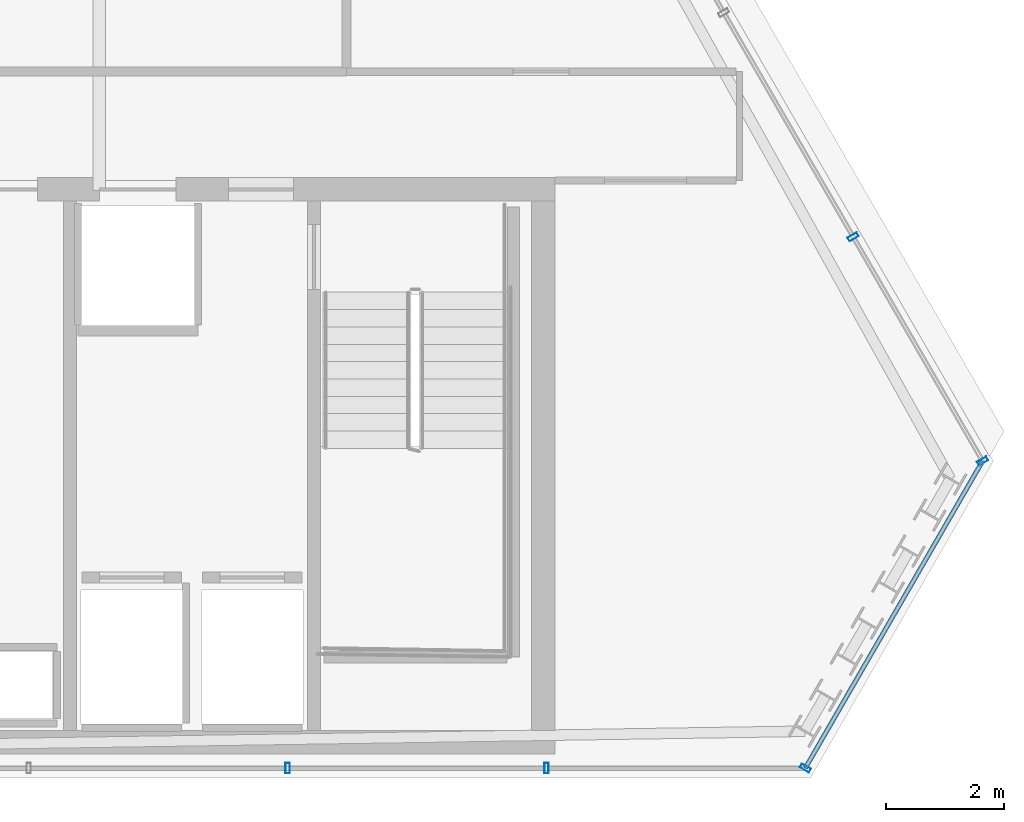
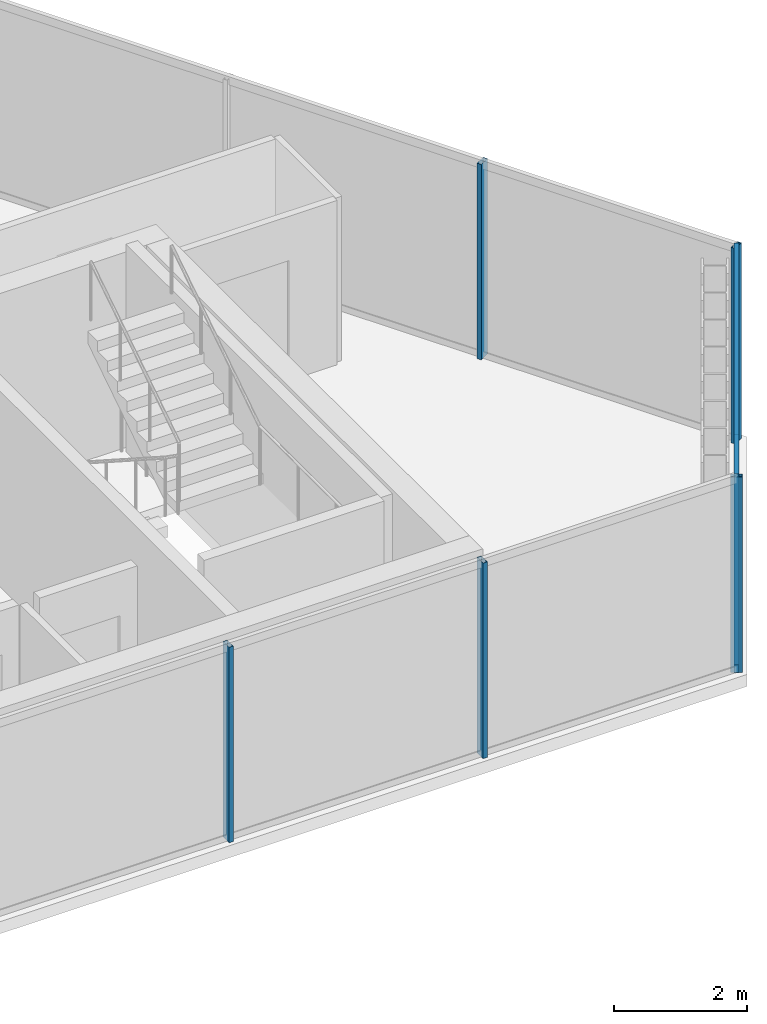
# One storey, part 19 of 32: 7 members, 3 elements without a shape of their own.
"""IFC4 building model written with IfcOpenShell, lengths in metres."""

from ifc_helpers import new_model, si_unit, direction, frame, origin, origin_2d, place, context, subcontext, project, spatial, hollow_rectangle, extrude, material, layer, layer_set, material_profile, profile_set, type_object, element, aggregate, save


model = new_model("IFC4")

# Units and contexts
model_context = context("Model", 3, precision=1e-05, world=origin(), true_north=direction((0.0, 1.0)))
body_context = subcontext(model_context, "Body", "Model", "MODEL_VIEW")
ifc_project = project(units=[si_unit("LENGTHUNIT", "METRE"), si_unit("AREAUNIT", "SQUARE_METRE"), si_unit("VOLUMEUNIT", "CUBIC_METRE"), si_unit("PLANEANGLEUNIT", "RADIAN"), si_unit("MASSUNIT", "GRAM", prefix="KILO")], contexts=[model_context])

# Site, building, storey
site_placement = place(None, origin())
site = spatial("IfcSite", under=ifc_project, at=site_placement, CompositionType="ELEMENT")
building_placement = place(site_placement, origin())
building = spatial("IfcBuilding", under=site, at=building_placement, Name="Ndaravel Arena Tower", CompositionType="ELEMENT")
storey_placement = place(building_placement, frame((0.0, 0.0, 252.199951171875)))
storey = spatial("IfcBuildingStorey", under=building, at=storey_placement, Name="L61", CompositionType="ELEMENT", Elevation=252.199951171875)

# Curtain wall, members
ifc_material_1 = material(Name="Aluminium", Category="aluminium")
ifc_layer_1 = layer(ifc_material_1, 0.179931640625)
ifc_layer_set_1 = layer_set([ifc_layer_1], Name="Aluminium")
curtain_wall_type_1 = type_object("IfcCurtainWallType", Name="CW-SYS-03", PredefinedType="NOTDEFINED", material=ifc_layer_set_1)
curtain_wall_1_placement = place(storey_placement, origin())
curtain_wall_1 = element("IfcCurtainWall", 1, at=curtain_wall_1_placement, inside=storey, type_object=curtain_wall_type_1, Name="L61 Faceted Crystal Curtain Wall CW-L61-E01", PredefinedType="NOTDEFINED")
ifc_material_2 = material(Name="Aluminium", Category="aluminium")
ifc_material_profile_1 = material_profile(ifc_material_2, hollow_rectangle(XDim=0.074951171875, YDim=0.179931640625, WallThickness=0.00390625, at=origin_2d()), Name="CW MULLION 75x180x4")
ifc_profile_set_1 = profile_set([ifc_material_profile_1], Name="Aluminium")
member_type_1 = type_object("IfcMemberType", Name="MEM-CW-MUL180", PredefinedType="MULLION", material=ifc_profile_set_1)
member_1_placement = place(storey_placement, frame((53.001708984375, 5.159912109375, 0.0), z_axis=(0.0, 0.0, 1.0), x_axis=(1.0, 0.0, 0.0)))
member_1 = element("IfcMember", 2, at=member_1_placement, type_object=member_type_1, Name="CW-L61-E01 Mullion 07", PredefinedType="MULLION", context=body_context, shape_type="SweptSolid", body=[
    extrude(hollow_rectangle(XDim=0.074951171875, YDim=0.179931640625, WallThickness=0.00390625, at=origin_2d()), origin(), (0.0, 0.0, 1.0), 3.580078125),
])
member_2_placement = place(storey_placement, frame((57.40234375, 5.159912109375, 0.0), z_axis=(0.0, 0.0, 1.0), x_axis=(1.0, 0.0, 0.0)))
member_2 = element("IfcMember", 3, at=member_2_placement, type_object=member_type_1, Name="CW-L61-E01 Mullion 08", PredefinedType="MULLION", context=body_context, shape_type="SweptSolid", body=[
    extrude(hollow_rectangle(XDim=0.074951171875, YDim=0.179931640625, WallThickness=0.00390625, at=origin_2d()), origin(), (0.0, 0.0, 1.0), 3.580078125),
])
aggregate(curtain_wall_1, [member_1, member_2])

# Curtain wall, member
ifc_material_3 = material(Name="Aluminium", Category="aluminium")
ifc_layer_2 = layer(ifc_material_3, 0.179931640625)
ifc_layer_set_2 = layer_set([ifc_layer_2], Name="Aluminium")
curtain_wall_type_2 = type_object("IfcCurtainWallType", Name="CW-SYS-01", PredefinedType="NOTDEFINED", material=ifc_layer_set_2)
curtain_wall_2_placement = place(storey_placement, origin())
curtain_wall_2 = element("IfcCurtainWall", 4, at=curtain_wall_2_placement, inside=storey, type_object=curtain_wall_type_2, Name="L61 Faceted Crystal Curtain Wall CW-L61-E02", PredefinedType="NOTDEFINED")
member_3_placement = place(storey_placement, frame((61.802978515625, 5.159912109375, 0.0), z_axis=(0.0, 0.0, 1.0), x_axis=(0.5, 0.866025403784, 0.0)))
member_3 = element("IfcMember", 5, at=member_3_placement, type_object=member_type_1, Name="CW-L61-E02 Mullion 00", PredefinedType="MULLION", context=body_context, shape_type="SweptSolid", body=[
    extrude(hollow_rectangle(XDim=0.074951171875, YDim=0.179931640625, WallThickness=0.00390625, at=origin_2d()), origin(), (0.0, 0.0, 1.0), 3.580078125),
])

# Curtain wall, members
curtain_wall_3_placement = place(storey_placement, origin())
curtain_wall_3 = element("IfcCurtainWall", 6, at=curtain_wall_3_placement, inside=storey, type_object=curtain_wall_type_1, Name="L61 Faceted Crystal Curtain Wall CW-L61-E03", PredefinedType="NOTDEFINED")
member_4_placement = place(storey_placement, frame((64.816650390625, 10.3798828125, 0.0), z_axis=(0.0, 0.0, 1.0), x_axis=(-0.5, 0.866025403784, 0.0)))
member_4 = element("IfcMember", 7, at=member_4_placement, type_object=member_type_1, Name="CW-L61-E03 Mullion 00", PredefinedType="MULLION", context=body_context, shape_type="SweptSolid", body=[
    extrude(hollow_rectangle(XDim=0.074951171875, YDim=0.179931640625, WallThickness=0.00390625, at=origin_2d()), origin(), (0.0, 0.0, 1.0), 3.580078125),
])
member_5_placement = place(storey_placement, frame((62.6162109375, 14.19091796875, 0.0), z_axis=(0.0, 0.0, 1.0), x_axis=(-0.5, 0.866025403784, 0.0)))
member_5 = element("IfcMember", 8, at=member_5_placement, type_object=member_type_1, Name="CW-L61-E03 Mullion 01", PredefinedType="MULLION", context=body_context, shape_type="SweptSolid", body=[
    extrude(hollow_rectangle(XDim=0.074951171875, YDim=0.179931640625, WallThickness=0.00390625, at=origin_2d()), origin(), (0.0, 0.0, 1.0), 3.580078125),
])
aggregate(curtain_wall_3, [member_4, member_5])

# Member
ifc_material_4 = material(Name="Aluminium", Category="aluminium")
ifc_material_profile_2 = material_profile(ifc_material_4, hollow_rectangle(XDim=0.074951171875, YDim=0.14990234375, WallThickness=0.00390625, at=origin_2d()), Name="CW TRANSOM 75x150x4")
ifc_profile_set_2 = profile_set([ifc_material_profile_2], Name="Aluminium")
member_type_2 = type_object("IfcMemberType", Name="MEM-CW-TRN150", PredefinedType="USERDEFINED", material=ifc_profile_set_2)
member_6_placement = place(storey_placement, frame((61.802978515625, 5.159912109375, 0.0400390625), z_axis=(0.49999009336, 0.86603112331, 0.0), x_axis=(-0.86603112331, 0.49999009336, 0.0)))
member_6 = element("IfcMember", 9, at=member_6_placement, type_object=member_type_2, Name="CW-L61-E02 Transom 01", ObjectType="TRANSOM", PredefinedType="USERDEFINED", context=body_context, shape_type="SweptSolid", body=[
    extrude(hollow_rectangle(XDim=0.074951171875, YDim=0.14990234375, WallThickness=0.00390625, at=origin_2d()), origin(), (0.0, 0.0, 1.0), 6.02734375),
])

member_7_placement = place(storey_placement, frame((61.802978515625, 5.159912109375, 3.5400390625), z_axis=(0.49999009336, 0.86603112331, 0.0), x_axis=(-0.86603112331, 0.49999009336, 0.0)))
member_7 = element("IfcMember", 10, at=member_7_placement, type_object=member_type_2, Name="CW-L61-E02 Transom 02", ObjectType="TRANSOM", PredefinedType="USERDEFINED", context=body_context, shape_type="SweptSolid", body=[
    extrude(hollow_rectangle(XDim=0.074951171875, YDim=0.14990234375, WallThickness=0.00390625, at=origin_2d()), origin(), (0.0, 0.0, 1.0), 6.02734375),
])

aggregate(curtain_wall_2, [member_3, member_6, member_7])

save(model, "model.ifc")
